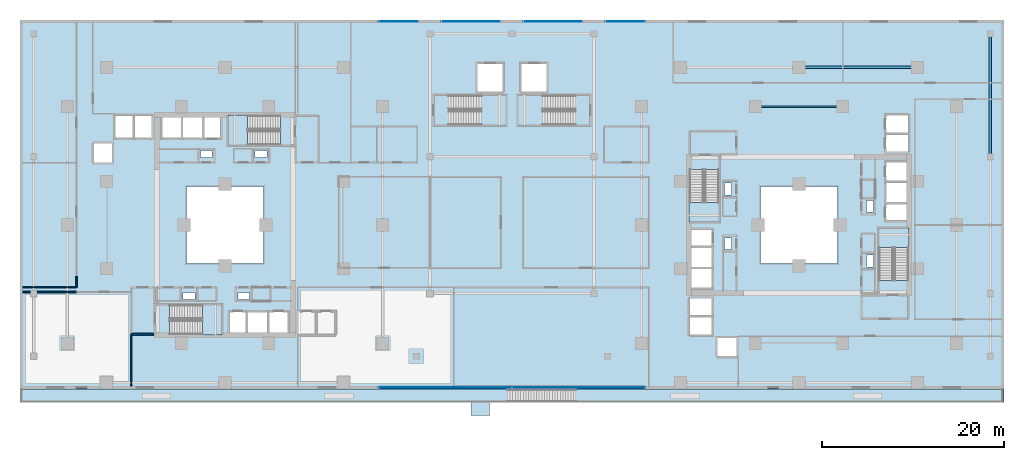
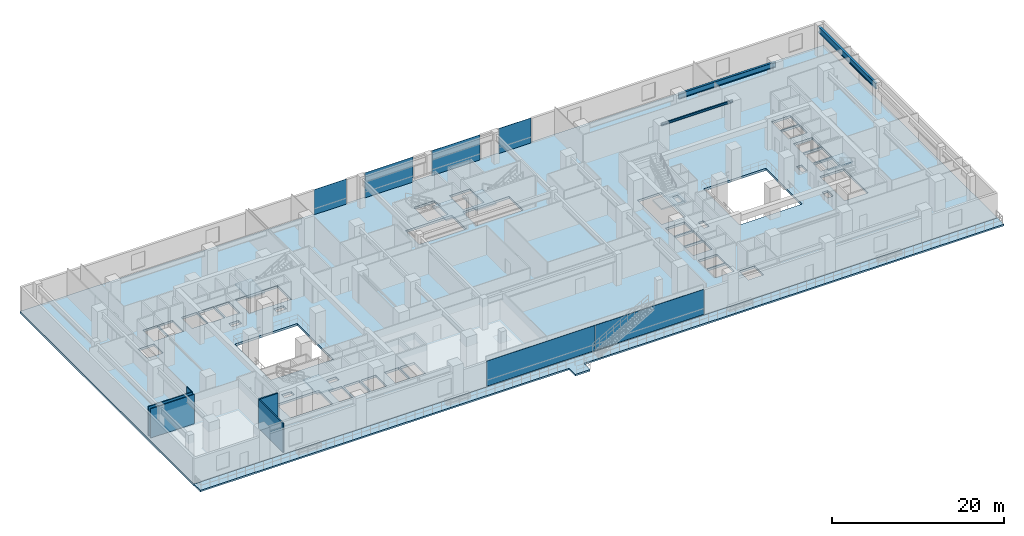
# One storey, part 11 of 24: 8 slabs, 6 plates, 5 walls, 3 beams, 11 elements without a shape of their own.
"""IFC4 building model written with IfcOpenShell, lengths in metres."""

from ifc_helpers import new_model, si_unit, direction, frame, frame_2d, origin, origin_2d, place, context, subcontext, project, spatial, polyline, rectangle, i_section, outline, extrude, material, layer, layer_set, material_profile, profile_set, type_object, element, aggregate, save


model = new_model("IFC4")

# Units and contexts
model_context = context("Model", 3, precision=1e-05, world=origin(), true_north=direction((0.0, 1.0)))
body_context = subcontext(model_context, "Body", "Model", "MODEL_VIEW")
ifc_project = project(units=[si_unit("LENGTHUNIT", "METRE"), si_unit("AREAUNIT", "SQUARE_METRE"), si_unit("VOLUMEUNIT", "CUBIC_METRE"), si_unit("PLANEANGLEUNIT", "RADIAN"), si_unit("MASSUNIT", "GRAM", prefix="KILO")], contexts=[model_context])

# Site, building, storey
site_placement = place(None, origin())
site = spatial("IfcSite", under=ifc_project, at=site_placement, CompositionType="ELEMENT")
building_placement = place(site_placement, origin())
building = spatial("IfcBuilding", under=site, at=building_placement, Name="Thornwick Lancets Civic Towers", CompositionType="ELEMENT")
storey_placement = place(building_placement, frame((0.0, 0.0, 14.10009765625)))
storey = spatial("IfcBuildingStorey", under=building, at=storey_placement, Name="L03", CompositionType="ELEMENT", Elevation=14.10009765625)

# Beams
ifc_material_1 = material(Name="Steel S355JR", Category="steel")
ifc_material_profile_1 = material_profile(ifc_material_1, i_section(OverallWidth=0.26806640625, OverallDepth=0.769775390625, WebThickness=0.015625, FlangeThickness=0.025390625, FilletRadius=0.0166015625, at=origin_2d()), Name="UKB 762x267x197")
ifc_profile_set_1 = profile_set([ifc_material_profile_1], Name="Steel S355JR")
beam_type_1 = type_object("IfcBeamType", Name="BM_GIRD_762_197", PredefinedType="BEAM", material=ifc_profile_set_1)
beam_1_placement = place(storey_placement, frame((101.5, 44.300048828125, 3.794921875), z_axis=(-1.0, 0.0, 0.0), x_axis=(0.0, -1.0, 0.0)))
element("IfcBeam", 1, at=beam_1_placement, inside=storey, type_object=beam_type_1, Name="BM-SPINE-L03-B-3-4", PredefinedType="BEAM", context=body_context, shape_type="SweptSolid", body=[
    extrude(i_section(OverallWidth=0.26806640625, OverallDepth=0.769775390625, WebThickness=0.015625, FlangeThickness=0.025390625, FilletRadius=0.0166015625, at=origin_2d()), origin(), (0.0, 0.0, 1.0), 13.0),
])
ifc_material_profile_2 = material_profile(ifc_material_1, i_section(OverallWidth=0.1669921875, OverallDepth=0.310302734375, WebThickness=0.0078125, FlangeThickness=0.013671875, FilletRadius=0.0087890625, at=origin_2d()), Name="UKB 305x165x54")
ifc_profile_set_2 = profile_set([ifc_material_profile_2], Name="Steel S355JR")
beam_type_2 = type_object("IfcBeamType", Name="BM_LINTEL_305_54", PredefinedType="LINTEL", material=ifc_profile_set_2)
beam_2_placement = place(storey_placement, frame((93.300048828125, 40.0, 4.024658203125), z_axis=(-1.0, 0.0, 0.0), x_axis=(0.0, -1.0, 0.0)))
element("IfcBeam", 2, at=beam_2_placement, inside=storey, type_object=beam_type_2, Name="BM-INSP-L03-B-1-3", PredefinedType="LINTEL", context=body_context, shape_type="SweptSolid", body=[
    extrude(i_section(OverallWidth=0.1669921875, OverallDepth=0.310302734375, WebThickness=0.0078125, FlangeThickness=0.013671875, FilletRadius=0.0087890625, at=origin_2d()), origin(), (0.0, 0.0, 1.0), 9.60009765625),
])
ifc_material_profile_3 = material_profile(ifc_material_1, i_section(OverallWidth=0.293701171875, OverallDepth=0.850830078125, WebThickness=0.01611328125, FlangeThickness=0.02685546875, FilletRadius=0.017822265625, at=origin_2d()), Name="UKB 838x292x226")
ifc_profile_set_3 = profile_set([ifc_material_profile_3], Name="Steel S355JR")
beam_type_3 = type_object("IfcBeamType", Name="BM_POD_838_226", PredefinedType="BEAM", material=ifc_profile_set_3)
beam_3_placement = place(storey_placement, frame((109.5, 34.580078125, 3.75439453125), z_axis=(0.0, 1.0, 0.0), x_axis=(-1.0, 0.0, 0.0)))
element("IfcBeam", 3, at=beam_3_placement, inside=storey, type_object=beam_type_3, Name="BM-PODG-L03-15-16", PredefinedType="BEAM", context=body_context, shape_type="SweptSolid", body=[
    extrude(i_section(OverallWidth=0.293701171875, OverallDepth=0.850830078125, WebThickness=0.01611328125, FlangeThickness=0.02685546875, FilletRadius=0.017822265625, at=origin_2d()), origin(), (0.0, 0.0, 1.0), 13.419921875),
])

# Curtain wall, plates
ifc_material_2 = material(Name="Terracotta-trimmed cascading podium ribbon curtain wall", Category="masonry")
curtain_wall_type = type_object("IfcCurtainWallType", Name="CW_SYS_02", PredefinedType="NOTDEFINED", material=ifc_material_2)
curtain_wall_1_placement = place(storey_placement, origin())
curtain_wall_1 = element("IfcCurtainWall", 4, at=curtain_wall_1_placement, inside=storey, type_object=curtain_wall_type, Name="L03 Curtain Wall CW-L03-POD-SC", PredefinedType="NOTDEFINED")
ifc_material_3 = material(Name="Low-e double glazing clear glass", Category="glass")
ifc_layer_1 = layer(ifc_material_3, 0.035888671875, Name="Low-e double glazing clear glass")
ifc_layer_set_1 = layer_set([ifc_layer_1], Name="Low-e double glazing clear glass")
plate_type = type_object("IfcPlateType", Name="CW_PNL_GLASS", PredefinedType="CURTAIN_PANEL", material=ifc_layer_set_1)
plate_1_placement = place(storey_placement, frame((49.699951171875, 9.159912109375, -0.000244140625), z_axis=(0.0, 0.0, 1.0), x_axis=(1.0, 0.0, 0.0)))
plate_1 = element("IfcPlate", 5, at=plate_1_placement, type_object=plate_type, Name="CW-L03-POD-SC Panel 0", PredefinedType="CURTAIN_PANEL", context=body_context, shape_type="SweptSolid", body=[
    extrude(rectangle(XDim=14.595947265625, YDim=0.035888671875, at=origin_2d()), origin(), (0.0, 0.0, 1.0), 3.56005859375),
])
plate_2_placement = place(storey_placement, frame((64.300048828125, 9.159912109375, -0.000244140625), z_axis=(0.0, 0.0, 1.0), x_axis=(1.0, 0.0, 0.0)))
plate_2 = element("IfcPlate", 6, at=plate_2_placement, type_object=plate_type, Name="CW-L03-POD-SC Panel 1", PredefinedType="CURTAIN_PANEL", context=body_context, shape_type="SweptSolid", body=[
    extrude(rectangle(XDim=14.595947265625, YDim=0.035888671875, at=origin_2d()), origin(), (0.0, 0.0, 1.0), 3.56005859375),
])
aggregate(curtain_wall_1, [plate_1, plate_2])

# Curtain wall, plate
curtain_wall_2_placement = place(storey_placement, origin())
curtain_wall_2 = element("IfcCurtainWall", 7, at=curtain_wall_2_placement, inside=storey, type_object=curtain_wall_type, Name="L03 Curtain Wall CW-L03-POD-NC-S1", PredefinedType="NOTDEFINED")
plate_3_placement = place(storey_placement, frame((69.425048828125, 49.340087890625, -0.000244140625), z_axis=(0.0, 0.0, 1.0), x_axis=(-1.0, 0.0, 0.0)))
plate_3 = element("IfcPlate", 8, at=plate_3_placement, type_object=plate_type, Name="CW-L03-POD-NC-S1 Panel 0", PredefinedType="CURTAIN_PANEL", context=body_context, shape_type="SweptSolid", body=[
    extrude(rectangle(XDim=4.345947265625, YDim=0.035888671875, at=origin_2d()), origin(), (0.0, 0.0, 1.0), 3.56005859375),
])
aggregate(curtain_wall_2, [plate_3])

curtain_wall_3_placement = place(storey_placement, origin())
curtain_wall_3 = element("IfcCurtainWall", 9, at=curtain_wall_3_placement, inside=storey, type_object=curtain_wall_type, Name="L03 Curtain Wall CW-L03-POD-NC-S2", PredefinedType="NOTDEFINED")
plate_4_placement = place(storey_placement, frame((61.5, 49.340087890625, -0.000244140625), z_axis=(0.0, 0.0, 1.0), x_axis=(-1.0, 0.0, 0.0)))
plate_4 = element("IfcPlate", 10, at=plate_4_placement, type_object=plate_type, Name="CW-L03-POD-NC-S2 Panel 0", PredefinedType="CURTAIN_PANEL", context=body_context, shape_type="SweptSolid", body=[
    extrude(rectangle(XDim=6.49609375, YDim=0.035888671875, at=origin_2d()), origin(), (0.0, 0.0, 1.0), 3.56005859375),
])
aggregate(curtain_wall_3, [plate_4])

curtain_wall_4_placement = place(storey_placement, origin())
curtain_wall_4 = element("IfcCurtainWall", 11, at=curtain_wall_4_placement, inside=storey, type_object=curtain_wall_type, Name="L03 Curtain Wall CW-L03-POD-NC-S3", PredefinedType="NOTDEFINED")
plate_5_placement = place(storey_placement, frame((52.5, 49.340087890625, -0.000244140625), z_axis=(0.0, 0.0, 1.0), x_axis=(-1.0, 0.0, 0.0)))
plate_5 = element("IfcPlate", 12, at=plate_5_placement, type_object=plate_type, Name="CW-L03-POD-NC-S3 Panel 0", PredefinedType="CURTAIN_PANEL", context=body_context, shape_type="SweptSolid", body=[
    extrude(rectangle(XDim=6.49609375, YDim=0.035888671875, at=origin_2d()), origin(), (0.0, 0.0, 1.0), 3.56005859375),
])
aggregate(curtain_wall_4, [plate_5])

curtain_wall_5_placement = place(storey_placement, origin())
curtain_wall_5 = element("IfcCurtainWall", 13, at=curtain_wall_5_placement, inside=storey, type_object=curtain_wall_type, Name="L03 Curtain Wall CW-L03-POD-NC-S4", PredefinedType="NOTDEFINED")
plate_6_placement = place(storey_placement, frame((44.574951171875, 49.340087890625, -0.000244140625), z_axis=(0.0, 0.0, 1.0), x_axis=(-1.0, 0.0, 0.0)))
plate_6 = element("IfcPlate", 14, at=plate_6_placement, type_object=plate_type, Name="CW-L03-POD-NC-S4 Panel 0", PredefinedType="CURTAIN_PANEL", context=body_context, shape_type="SweptSolid", body=[
    extrude(rectangle(XDim=4.345947265625, YDim=0.035888671875, at=origin_2d()), origin(), (0.0, 0.0, 1.0), 3.56005859375),
])
aggregate(curtain_wall_5, [plate_6])

# Stair, slab
ifc_material_4 = material(Name="Concrete C40/50", Category="concrete")
stair_type = type_object("IfcStairType", Name="STAIR_DL_4500", PredefinedType="HALF_TURN_STAIR", material=ifc_material_4)
stair_1_placement = place(storey_placement, origin())
stair_1 = element("IfcStair", 15, at=stair_1_placement, inside=storey, type_object=stair_type, Name="L03 Tower A South Exit Stair ST-A1", PredefinedType="HALF_TURN_STAIR")
ifc_layer_2 = layer(ifc_material_4, 0.25, Name="Concrete C40/50")
ifc_layer_set_2 = layer_set([ifc_layer_2], Name="Concrete C40/50")
slab_type_1 = type_object("IfcSlabType", Name="SLAB_LANDING_200", PredefinedType="LANDING", material=ifc_layer_set_2)
slab_1_placement = place(storey_placement, frame((0.0, 0.0, 2.052978515625)))
slab_1 = element("IfcSlab", 16, at=slab_1_placement, type_object=slab_type_1, Name="ST-A1 landing 1", PredefinedType="LANDING", context=body_context, shape_type="SweptSolid", body=[
    extrude(outline(polyline([(23.010009765625, 14.93994140625), (25.14990234375, 14.93994140625), (25.14990234375, 18.260009765625), (23.010009765625, 18.260009765625), (23.010009765625, 14.93994140625)])), origin(), (0.0, 0.0, 1.0), 0.199951171875),
])
aggregate(stair_1, [slab_1])

stair_2_placement = place(storey_placement, origin())
stair_2 = element("IfcStair", 17, at=stair_2_placement, inside=storey, type_object=stair_type, Name="L03 Tower A North Exit Stair ST-A2", PredefinedType="HALF_TURN_STAIR")
slab_2_placement = place(storey_placement, frame((0.0, 0.0, 2.052978515625)))
slab_2 = element("IfcSlab", 18, at=slab_2_placement, type_object=slab_type_1, Name="ST-A2 landing 1", PredefinedType="LANDING", context=body_context, shape_type="SweptSolid", body=[
    extrude(outline(polyline([(27.989990234375, 39.06005859375), (25.85009765625, 39.06005859375), (25.85009765625, 35.739990234375), (27.989990234375, 35.739990234375), (27.989990234375, 39.06005859375)])), origin(), (0.0, 0.0, 1.0), 0.199951171875),
])
aggregate(stair_2, [slab_2])

stair_3_placement = place(storey_placement, origin())
stair_3 = element("IfcStair", 19, at=stair_3_placement, inside=storey, type_object=stair_type, Name="L03 Tower B East Exit Stair ST-B1", PredefinedType="HALF_TURN_STAIR")
slab_3_placement = place(storey_placement, frame((0.0, 0.0, 2.052978515625)))
slab_3 = element("IfcSlab", 20, at=slab_3_placement, type_object=slab_type_1, Name="ST-B1 landing 1", PredefinedType="LANDING", context=body_context, shape_type="SweptSolid", body=[
    extrude(outline(polyline([(100.56005859375, 24.510009765625), (100.56005859375, 26.64990234375), (97.239990234375, 26.64990234375), (97.239990234375, 24.510009765625), (100.56005859375, 24.510009765625)])), origin(), (0.0, 0.0, 1.0), 0.199951171875),
])
aggregate(stair_3, [slab_3])

stair_4_placement = place(storey_placement, origin())
stair_4 = element("IfcStair", 21, at=stair_4_placement, inside=storey, type_object=stair_type, Name="L03 Tower B West Exit Stair ST-B2", PredefinedType="HALF_TURN_STAIR")
slab_4_placement = place(storey_placement, frame((0.0, 0.0, 2.052978515625)))
slab_4 = element("IfcSlab", 22, at=slab_4_placement, type_object=slab_type_1, Name="ST-B2 landing 1", PredefinedType="LANDING", context=body_context, shape_type="SweptSolid", body=[
    extrude(outline(polyline([(76.43994140625, 29.489990234375), (76.43994140625, 27.35009765625), (79.760009765625, 27.35009765625), (79.760009765625, 29.489990234375), (76.43994140625, 29.489990234375)])), origin(), (0.0, 0.0, 1.0), 0.199951171875),
])
aggregate(stair_4, [slab_4])

stair_5_placement = place(storey_placement, origin())
stair_5 = element("IfcStair", 23, at=stair_5_placement, inside=storey, type_object=stair_type, Name="L03 Podium Central West Exit Stair ST-P5", PredefinedType="HALF_TURN_STAIR")
slab_5_placement = place(storey_placement, frame((0.0, 0.0, 2.052978515625)))
slab_5 = element("IfcSlab", 24, at=slab_5_placement, type_object=slab_type_1, Name="ST-P5 landing 1", PredefinedType="LANDING", context=body_context, shape_type="SweptSolid", body=[
    extrude(outline(polyline([(53.610107421875, 37.93994140625), (56.35009765625, 37.93994140625), (56.35009765625, 41.260009765625), (53.610107421875, 41.260009765625), (53.610107421875, 37.93994140625)])), origin(), (0.0, 0.0, 1.0), 0.199951171875),
])
aggregate(stair_5, [slab_5])

stair_6_placement = place(storey_placement, origin())
stair_6 = element("IfcStair", 25, at=stair_6_placement, inside=storey, type_object=stair_type, Name="L03 Podium Central East Exit Stair ST-P6", PredefinedType="HALF_TURN_STAIR")
slab_6_placement = place(storey_placement, frame((0.0, 0.0, 2.052978515625)))
slab_6 = element("IfcSlab", 26, at=slab_6_placement, type_object=slab_type_1, Name="ST-P6 landing 1", PredefinedType="LANDING", context=body_context, shape_type="SweptSolid", body=[
    extrude(outline(polyline([(60.389892578125, 41.260009765625), (57.64990234375, 41.260009765625), (57.64990234375, 37.93994140625), (60.389892578125, 37.93994140625), (60.389892578125, 41.260009765625)])), origin(), (0.0, 0.0, 1.0), 0.199951171875),
])
aggregate(stair_6, [slab_6])

# Slabs
ifc_material_5 = material(Name="Post-tensioned concrete C40/50", Category="concrete")
ifc_layer_3 = layer(ifc_material_5, 0.320068359375, Name="Post-tensioned concrete C40/50")
ifc_layer_set_3 = layer_set([ifc_layer_3], Name="Post-tensioned concrete C40/50")
slab_type_2 = type_object("IfcSlabType", Name="SLAB_PT_320", PredefinedType="FLOOR", material=ifc_layer_set_3)
slab_7_placement = place(storey_placement, frame((0.0, 0.0, -0.320068359375)))
element("IfcSlab", 27, at=slab_7_placement, inside=storey, type_object=slab_type_2, Name="L03 Podium Structural Floor Slab", PredefinedType="FLOOR", context=body_context, shape_type="SweptSolid", body=[
    extrude(outline(polyline([(3.0, 9.0), (111.0, 9.0), (111.0, 49.5), (3.0, 49.5), (3.0, 9.0)]), holes=[polyline([(21.300048828125, 22.800048828125), (29.699951171875, 22.800048828125), (29.699951171875, 31.199951171875), (21.300048828125, 31.199951171875), (21.300048828125, 22.800048828125)]), polyline([(84.300048828125, 22.800048828125), (92.699951171875, 22.800048828125), (92.699951171875, 31.199951171875), (84.300048828125, 31.199951171875), (84.300048828125, 22.800048828125)]), polyline([(19.429931640625, 15.0), (25.10009765625, 15.0), (25.10009765625, 18.199951171875), (19.429931640625, 18.199951171875), (19.429931640625, 15.0)]), polyline([(31.570068359375, 39.0), (25.89990234375, 39.0), (25.89990234375, 35.800048828125), (31.570068359375, 35.800048828125), (31.570068359375, 39.0)]), polyline([(100.5, 20.929931640625), (100.5, 26.60009765625), (97.300048828125, 26.60009765625), (97.300048828125, 20.929931640625), (100.5, 20.929931640625)]), polyline([(76.5, 33.070068359375), (76.5, 27.39990234375), (79.699951171875, 27.39990234375), (79.699951171875, 33.070068359375), (76.5, 33.070068359375)]), polyline([(50.030029296875, 38.0), (56.300048828125, 38.0), (56.300048828125, 41.199951171875), (50.030029296875, 41.199951171875), (50.030029296875, 38.0)]), polyline([(63.969970703125, 41.199951171875), (57.699951171875, 41.199951171875), (57.699951171875, 38.0), (63.969970703125, 38.0), (63.969970703125, 41.199951171875)]), polyline([(26.0, 15.0), (27.800048828125, 15.0), (27.800048828125, 17.550048828125), (26.0, 17.550048828125), (26.0, 15.0)]), polyline([(97.949951171875, 27.5), (100.5, 27.5), (100.5, 29.300048828125), (97.949951171875, 29.300048828125), (97.949951171875, 27.5)]), polyline([(28.0, 15.0), (30.14990234375, 15.0), (30.14990234375, 17.550048828125), (28.0, 17.550048828125), (28.0, 15.0)]), polyline([(97.949951171875, 29.5), (100.5, 29.5), (100.5, 31.64990234375), (97.949951171875, 31.64990234375), (97.949951171875, 29.5)]), polyline([(30.35009765625, 15.0), (32.39990234375, 15.0), (32.39990234375, 17.550048828125), (30.35009765625, 17.550048828125), (30.35009765625, 15.0)]), polyline([(97.949951171875, 31.85009765625), (100.5, 31.85009765625), (100.5, 33.89990234375), (97.949951171875, 33.89990234375), (97.949951171875, 31.85009765625)]), polyline([(33.550048828125, 15.0), (35.449951171875, 15.0), (35.449951171875, 17.550048828125), (33.550048828125, 17.550048828125), (33.550048828125, 15.0)]), polyline([(97.949951171875, 35.050048828125), (100.5, 35.050048828125), (100.5, 36.949951171875), (97.949951171875, 36.949951171875), (97.949951171875, 35.050048828125)]), polyline([(35.60009765625, 15.0), (37.550048828125, 15.0), (37.550048828125, 17.550048828125), (35.60009765625, 17.550048828125), (35.60009765625, 15.0)]), polyline([(97.949951171875, 37.10009765625), (100.5, 37.10009765625), (100.5, 39.050048828125), (97.949951171875, 39.050048828125), (97.949951171875, 37.10009765625)]), polyline([(23.199951171875, 36.449951171875), (25.0, 36.449951171875), (25.0, 39.0), (23.199951171875, 39.0), (23.199951171875, 36.449951171875)]), polyline([(76.5, 24.699951171875), (79.050048828125, 24.699951171875), (79.050048828125, 26.5), (76.5, 26.5), (76.5, 24.699951171875)]), polyline([(20.85009765625, 36.449951171875), (23.0, 36.449951171875), (23.0, 39.0), (20.85009765625, 39.0), (20.85009765625, 36.449951171875)]), polyline([(76.5, 22.35009765625), (79.050048828125, 22.35009765625), (79.050048828125, 24.5), (76.5, 24.5), (76.5, 22.35009765625)]), polyline([(18.60009765625, 36.449951171875), (20.699951171875, 36.449951171875), (20.699951171875, 39.0), (18.60009765625, 39.0), (18.60009765625, 36.449951171875)]), polyline([(76.5, 20.10009765625), (79.050048828125, 20.10009765625), (79.050048828125, 22.199951171875), (76.5, 22.199951171875), (76.5, 20.10009765625)]), polyline([(15.550048828125, 36.449951171875), (17.449951171875, 36.449951171875), (17.449951171875, 39.0), (15.550048828125, 39.0), (15.550048828125, 36.449951171875)]), polyline([(76.5, 17.050048828125), (79.050048828125, 17.050048828125), (79.050048828125, 18.949951171875), (76.5, 18.949951171875), (76.5, 17.050048828125)]), polyline([(13.449951171875, 36.449951171875), (15.39990234375, 36.449951171875), (15.39990234375, 39.0), (13.449951171875, 39.0), (13.449951171875, 36.449951171875)]), polyline([(76.5, 14.949951171875), (79.050048828125, 14.949951171875), (79.050048828125, 16.89990234375), (76.5, 16.89990234375), (76.5, 14.949951171875)]), polyline([(11.10009765625, 33.85009765625), (13.199951171875, 33.85009765625), (13.199951171875, 35.949951171875), (11.10009765625, 35.949951171875), (11.10009765625, 33.85009765625)]), polyline([(79.550048828125, 12.60009765625), (81.64990234375, 12.60009765625), (81.64990234375, 14.699951171875), (79.550048828125, 14.699951171875), (79.550048828125, 12.60009765625)]), polyline([(53.199951171875, 41.60009765625), (56.0, 41.60009765625), (56.0, 44.800048828125), (53.199951171875, 44.800048828125), (53.199951171875, 41.60009765625)]), polyline([(58.0, 41.60009765625), (60.800048828125, 41.60009765625), (60.800048828125, 44.800048828125), (58.0, 44.800048828125), (58.0, 41.60009765625)]), polyline([(26.89990234375, 18.85009765625), (28.199951171875, 18.85009765625), (28.199951171875, 19.580078125), (26.89990234375, 19.580078125), (26.89990234375, 18.85009765625)]), polyline([(20.89990234375, 18.85009765625), (22.199951171875, 18.85009765625), (22.199951171875, 19.580078125), (20.89990234375, 19.580078125), (20.89990234375, 18.85009765625)]), polyline([(22.800048828125, 34.419921875), (24.10009765625, 34.419921875), (24.10009765625, 35.14990234375), (22.800048828125, 35.14990234375), (22.800048828125, 34.419921875)]), polyline([(28.800048828125, 34.419921875), (30.10009765625, 34.419921875), (30.10009765625, 35.14990234375), (28.800048828125, 35.14990234375), (28.800048828125, 34.419921875)]), polyline([(95.919921875, 28.39990234375), (96.64990234375, 28.39990234375), (96.64990234375, 29.699951171875), (95.919921875, 29.699951171875), (95.919921875, 28.39990234375)]), polyline([(95.919921875, 22.39990234375), (96.64990234375, 22.39990234375), (96.64990234375, 23.699951171875), (95.919921875, 23.699951171875), (95.919921875, 22.39990234375)]), polyline([(80.35009765625, 24.300048828125), (81.080078125, 24.300048828125), (81.080078125, 25.60009765625), (80.35009765625, 25.60009765625), (80.35009765625, 24.300048828125)]), polyline([(80.35009765625, 30.300048828125), (81.080078125, 30.300048828125), (81.080078125, 31.60009765625), (80.35009765625, 31.60009765625), (80.35009765625, 30.300048828125)])]), origin(), (0.0, 0.0, 1.0), 0.320068359375),
])
ifc_layer_4 = layer(ifc_material_4, 0.219970703125, Name="Concrete C40/50")
ifc_layer_set_4 = layer_set([ifc_layer_4], Name="Concrete C40/50")
slab_type_3 = type_object("IfcSlabType", Name="SLAB_TERRACE_220", PredefinedType="FLOOR", material=ifc_layer_set_4)
slab_8_placement = place(storey_placement, frame((0.0, 0.0, -0.22021484375)))
element("IfcSlab", 28, at=slab_8_placement, inside=storey, type_object=slab_type_3, Name="L03 Cascading Garden Terrace Slab", PredefinedType="FLOOR", context=body_context, shape_type="SweptSolid", body=[
    extrude(outline(polyline([(3.0, 7.5), (3.0, 9.0), (111.0, 9.0), (111.0, 7.5), (54.5400390625, 7.5), (54.5400390625, 6.050048828125), (52.56005859375, 6.050048828125), (52.56005859375, 7.5), (3.0, 7.5)])), origin(), (0.0, 0.0, 1.0), 0.22021484375),
])

# Walls
ifc_material_6 = material(Name="Concrete blockwork C40/50", Category="masonry")
ifc_layer_5 = layer(ifc_material_6, 0.199951171875, Name="Concrete blockwork C40/50")
ifc_layer_set_5 = layer_set([ifc_layer_5], Name="Concrete blockwork C40/50")
wall_type_1 = type_object("IfcWallType", Name="WALL_COMP_200", PredefinedType="STANDARD", material=ifc_layer_set_5)
wall_1_placement = place(storey_placement, frame((15.199951171875, 15.0, 0.0), z_axis=(0.0, 0.0, 1.0), x_axis=(1.0, 0.0, 0.0)))
element("IfcWall", 29, at=wall_1_placement, inside=storey, type_object=wall_type_1, Name="L03 Partition L03-A-FFLOB1 E1", PredefinedType="STANDARD", context=body_context, shape_type="SweptSolid", body=[
    extrude(rectangle(XDim=2.5, YDim=0.199951171875, at=frame_2d((1.25, 0.0))), origin(), (0.0, 0.0, 1.0), 4.159912109375),
])
ifc_material_7 = material(Name="Acoustic gypsum board partition")
ifc_layer_6 = layer(ifc_material_7, 0.1201171875, Name="Acoustic gypsum board partition")
ifc_layer_set_6 = layer_set([ifc_layer_6], Name="Acoustic gypsum board partition")
wall_type_2 = type_object("IfcWallType", Name="WALL_PART_120", PredefinedType="PARTITIONING", material=ifc_layer_set_6)
wall_2_placement = place(storey_placement, frame((3.300048828125, 19.64990234375, 0.0), z_axis=(0.0, 0.0, 1.0), x_axis=(1.0, 0.0, 0.0)))
element("IfcWall", 30, at=wall_2_placement, inside=storey, type_object=wall_type_2, Name="L03 Partition L03-MINW E3", PredefinedType="PARTITIONING", context=body_context, shape_type="SweptSolid", body=[
    extrude(rectangle(XDim=5.89990234375, YDim=0.1201171875, at=frame_2d((2.949951171875, 0.0))), origin(), (0.0, 0.0, 1.0), 4.159912109375),
])
wall_3_placement = place(storey_placement, frame((15.199951171875, 15.0, 0.0), z_axis=(0.0, 0.0, 1.0), x_axis=(0.0, -1.0, 0.0)))
element("IfcWall", 31, at=wall_3_placement, inside=storey, type_object=wall_type_2, Name="L03 Partition L03-MINW E6", PredefinedType="PARTITIONING", context=body_context, shape_type="SweptSolid", body=[
    extrude(rectangle(XDim=5.679931640625, YDim=0.1201171875, at=frame_2d((2.83984375, 0.0))), origin(), (0.0, 0.0, 1.0), 4.159912109375),
])
wall_4_placement = place(storey_placement, frame((9.199951171875, 21.39990234375, 0.0), z_axis=(0.0, 0.0, 1.0), x_axis=(0.0, -1.0, 0.0)))
element("IfcWall", 32, at=wall_4_placement, inside=storey, type_object=wall_type_2, Name="L03 Partition L03-WSUITE E4", PredefinedType="PARTITIONING", context=body_context, shape_type="SweptSolid", body=[
    extrude(rectangle(XDim=1.25, YDim=0.1201171875, at=frame_2d((0.625, 0.0))), origin(), (0.0, 0.0, 1.0), 4.159912109375),
])
wall_5_placement = place(storey_placement, frame((9.199951171875, 20.14990234375, 0.0), z_axis=(0.0, 0.0, 1.0), x_axis=(-1.0, 0.0, 0.0)))
element("IfcWall", 33, at=wall_5_placement, inside=storey, type_object=wall_type_2, Name="L03 Partition L03-WSUITE E5", PredefinedType="PARTITIONING", context=body_context, shape_type="SweptSolid", body=[
    extrude(rectangle(XDim=5.89990234375, YDim=0.1201171875, at=frame_2d((2.949951171875, 0.0))), origin(), (0.0, 0.0, 1.0), 4.159912109375),
])

save(model, "model.ifc")
